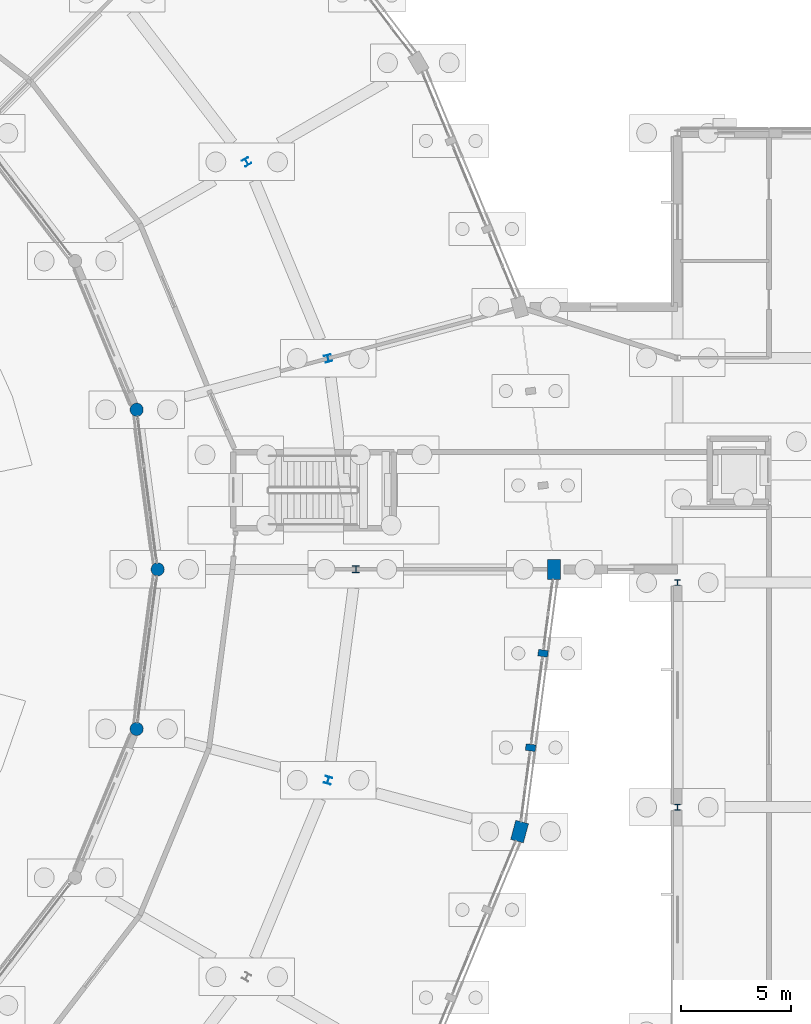
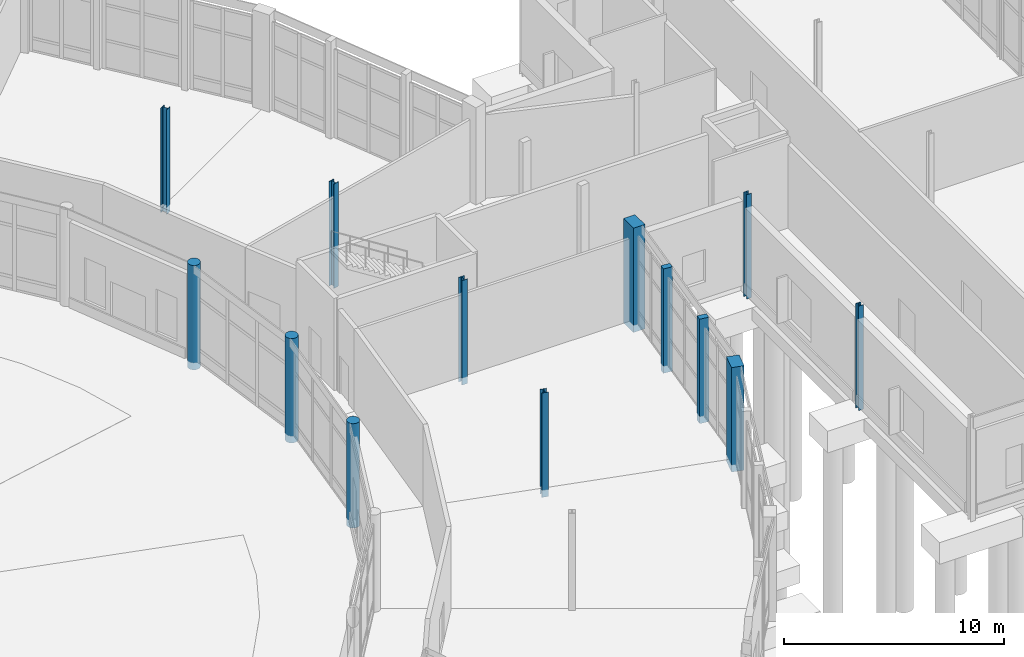
# One storey, part 22 of 137: 13 columns.
"""IFC4 building model written with IfcOpenShell, lengths in metres."""

from ifc_helpers import new_model, si_unit, direction, frame, origin, origin_2d, place, context, subcontext, project, spatial, rectangle, circle, i_section, extrude, material, material_profile, profile_set, type_object, element, save


model = new_model("IFC4")

# Units and contexts
model_context = context("Model", 3, precision=1e-05, world=origin(), true_north=direction((0.0, 1.0)))
body_context = subcontext(model_context, "Body", "Model", "MODEL_VIEW")
ifc_project = project(units=[si_unit("LENGTHUNIT", "METRE"), si_unit("AREAUNIT", "SQUARE_METRE"), si_unit("VOLUMEUNIT", "CUBIC_METRE"), si_unit("PLANEANGLEUNIT", "RADIAN"), si_unit("MASSUNIT", "GRAM", prefix="KILO")], contexts=[model_context])

# Site, building, storey
site_placement = place(None, origin())
site = spatial("IfcSite", under=ifc_project, at=site_placement, CompositionType="ELEMENT")
building_placement = place(site_placement, origin())
building = spatial("IfcBuilding", under=site, at=building_placement, Name="Vondelvale Polytechnic", CompositionType="ELEMENT")
storey_placement = place(building_placement, origin())
storey = spatial("IfcBuildingStorey", under=building, at=storey_placement, Name="L00", CompositionType="ELEMENT", Elevation=0.0)

# Columns
ifc_material_1 = material(Name="Glulam GL18 structural Tasmanian oak (fb = 42 MPa)", Category="wood")
ifc_material_profile_1 = material_profile(ifc_material_1, rectangle(XDim=0.300048828125, YDim=0.449951171875, at=origin_2d()), Name="GL-POST-300x450")
ifc_profile_set_1 = profile_set([ifc_material_profile_1], Name="Glulam GL18 structural Tasmanian oak (fb = 42 MPa)")
column_type_1 = type_object("IfcColumnType", Name="COL-GLULAM-300x450", PredefinedType="PILASTER", material=ifc_profile_set_1)
for number, where, z_axis, x_axis, name in (
    (1, (146.93408203125, 63.904052734375, -0.39990234375), (0.0, 0.0, 1.0), (0.13052619222, 0.991444861374, 0.0), "L00 ring outer glulam timber post C23-P1"),
    (2, (147.498291015625, 68.190185546875, -0.39990234375), (0.0, 0.0, 1.0), (0.13052619222, 0.991444861374, 0.0), "L00 ring outer glulam timber post C23-P2"),
):
    element("IfcColumn", number, at=place(storey_placement, frame(where, z_axis=z_axis, x_axis=x_axis)), inside=storey, type_object=column_type_1, Name=name, PredefinedType="PILASTER", context=body_context, shape_type="SweptSolid", body=[
        extrude(rectangle(XDim=0.300048828125, YDim=0.449951171875, at=origin_2d()), origin(), (0.0, 0.0, 1.0), 5.7998046875),
    ])
ifc_material_2 = material(Name="Concrete N50 (f'c = 50 MPa)", Category="concrete")
ifc_material_profile_2 = material_profile(ifc_material_2, rectangle(XDim=0.60009765625, YDim=0.89990234375, at=origin_2d()), Name="RC-COL-900x600")
ifc_profile_set_2 = profile_set([ifc_material_profile_2], Name="Concrete N50 (f'c = 50 MPa)")
column_type_2 = type_object("IfcColumnType", Name="COL-RC900x600", PredefinedType="COLUMN", material=ifc_profile_set_2)
for number, where, z_axis, x_axis, name in (
    (3, (148.0, 72.0, -0.39990234375), (0.0, 0.0, 1.0), (1.0, 0.0, 0.0), "L00 courtyard ring column S00-RO"),
    (4, (146.4326171875, 60.09423828125, -0.39990234375), (0.0, 0.0, 1.0), (-0.965925826289, 0.258819045103, 0.0), "L00 courtyard ring column S23-RO"),
):
    element("IfcColumn", number, at=place(storey_placement, frame(where, z_axis=z_axis, x_axis=x_axis)), inside=storey, type_object=column_type_2, Name=name, PredefinedType="COLUMN", context=body_context, shape_type="SweptSolid", body=[
        extrude(rectangle(XDim=0.60009765625, YDim=0.89990234375, at=origin_2d()), origin(), (0.0, 0.0, 1.0), 5.7998046875),
    ])
ifc_material_profile_3 = material_profile(ifc_material_2, circle(Radius=0.300048828125, at=origin_2d()), Name="RC-COL-D600")
ifc_profile_set_3 = profile_set([ifc_material_profile_3], Name="Concrete N50 (f'c = 50 MPa)")
column_type_3 = type_object("IfcColumnType", Name="COL-RCD600", PredefinedType="COLUMN", material=ifc_profile_set_3)
for number, where, z_axis, x_axis, name in (
    (5, (130.0, 72.0, -0.39990234375), (0.0, 0.0, 1.0), (1.0, 0.0, 0.0), "L00 courtyard ring column S00-RI"),
    (6, (129.0458984375, 79.246826171875, -0.39990234375), (0.0, 0.0, 1.0), (0.965925826289, 0.258819045103, 0.0), "L00 courtyard ring column S01-RI"),
    (7, (129.0458984375, 64.753173828125, -0.39990234375), (0.0, 0.0, 1.0), (-0.965925826289, 0.258819045103, 0.0), "L00 courtyard ring column S23-RI"),
):
    element("IfcColumn", number, at=place(storey_placement, frame(where, z_axis=z_axis, x_axis=x_axis)), inside=storey, type_object=column_type_3, Name=name, PredefinedType="COLUMN", context=body_context, shape_type="SweptSolid", body=[
        extrude(circle(Radius=0.300048828125, at=origin_2d()), origin(), (0.0, 0.0, 1.0), 5.7998046875),
    ])
ifc_material_3 = material(Name="Steel 300PLUS (fy = 300 MPa)", Category="steel")
ifc_material_profile_4 = material_profile(ifc_material_3, i_section(OverallWidth=0.256103515625, OverallDepth=0.260009765625, WebThickness=0.010498046875, FlangeThickness=0.017333984375, FilletRadius=0.013916015625, at=origin_2d()), Name="250UC89.5")
ifc_profile_set_4 = profile_set([ifc_material_profile_4], Name="Steel 300PLUS (fy = 300 MPa)")
column_type_4 = type_object("IfcColumnType", Name="COL-UC250", PredefinedType="COLUMN", material=ifc_profile_set_4)
for number, where, z_axis, x_axis, name in (
    (8, (153.60009765625, 61.199951171875, -0.39990234375), (0.0, 0.0, 1.0), (1.0, 0.0, 0.0), "L00 East pavilion column (153.6,61.2)"),
    (9, (153.60009765625, 71.39990234375, -0.39990234375), (0.0, 0.0, 1.0), (1.0, 0.0, 0.0), "L00 East pavilion column (153.6,71.4)"),
):
    element("IfcColumn", number, at=place(storey_placement, frame(where, z_axis=z_axis, x_axis=x_axis)), inside=storey, type_object=column_type_4, Name=name, PredefinedType="COLUMN", context=body_context, shape_type="SweptSolid", body=[
        extrude(i_section(OverallWidth=0.256103515625, OverallDepth=0.260009765625, WebThickness=0.010498046875, FlangeThickness=0.017333984375, FilletRadius=0.013916015625, at=origin_2d()), origin(), (0.0, 0.0, 1.0), 5.7998046875),
    ])
ifc_material_profile_5 = material_profile(ifc_material_3, i_section(OverallWidth=0.30908203125, OverallDepth=0.321044921875, WebThickness=0.013916015625, FlangeThickness=0.021728515625, FilletRadius=0.0166015625, at=origin_2d()), Name="310UC137")
ifc_profile_set_5 = profile_set([ifc_material_profile_5], Name="Steel 300PLUS (fy = 300 MPa)")
column_type_5 = type_object("IfcColumnType", Name="COL-UC310M", PredefinedType="COLUMN", material=ifc_profile_set_5)
for number, where, z_axis, x_axis, name in (
    (10, (139.0, 72.0, -0.39990234375), (0.0, 0.0, 1.0), (1.0, 0.0, 0.0), "L00 courtyard ring column S00-RM"),
    (11, (137.7392578125, 81.576416015625, -0.39990234375), (0.0, 0.0, 1.0), (0.965925826289, 0.258819045103, 0.0), "L00 courtyard ring column S01-RM"),
    (12, (134.04296875, 90.5, -0.39990234375), (0.0, 0.0, 1.0), (0.866025403784, 0.5, 0.0), "L00 courtyard ring column S02-RM"),
    (13, (137.7392578125, 62.423583984375, -0.39990234375), (0.0, 0.0, 1.0), (-0.965925826289, 0.258819045103, 0.0), "L00 courtyard ring column S23-RM"),
):
    element("IfcColumn", number, at=place(storey_placement, frame(where, z_axis=z_axis, x_axis=x_axis)), inside=storey, type_object=column_type_5, Name=name, PredefinedType="COLUMN", context=body_context, shape_type="SweptSolid", body=[
        extrude(i_section(OverallWidth=0.30908203125, OverallDepth=0.321044921875, WebThickness=0.013916015625, FlangeThickness=0.021728515625, FilletRadius=0.0166015625, at=origin_2d()), origin(), (0.0, 0.0, 1.0), 5.7998046875),
    ])

save(model, "model.ifc")
